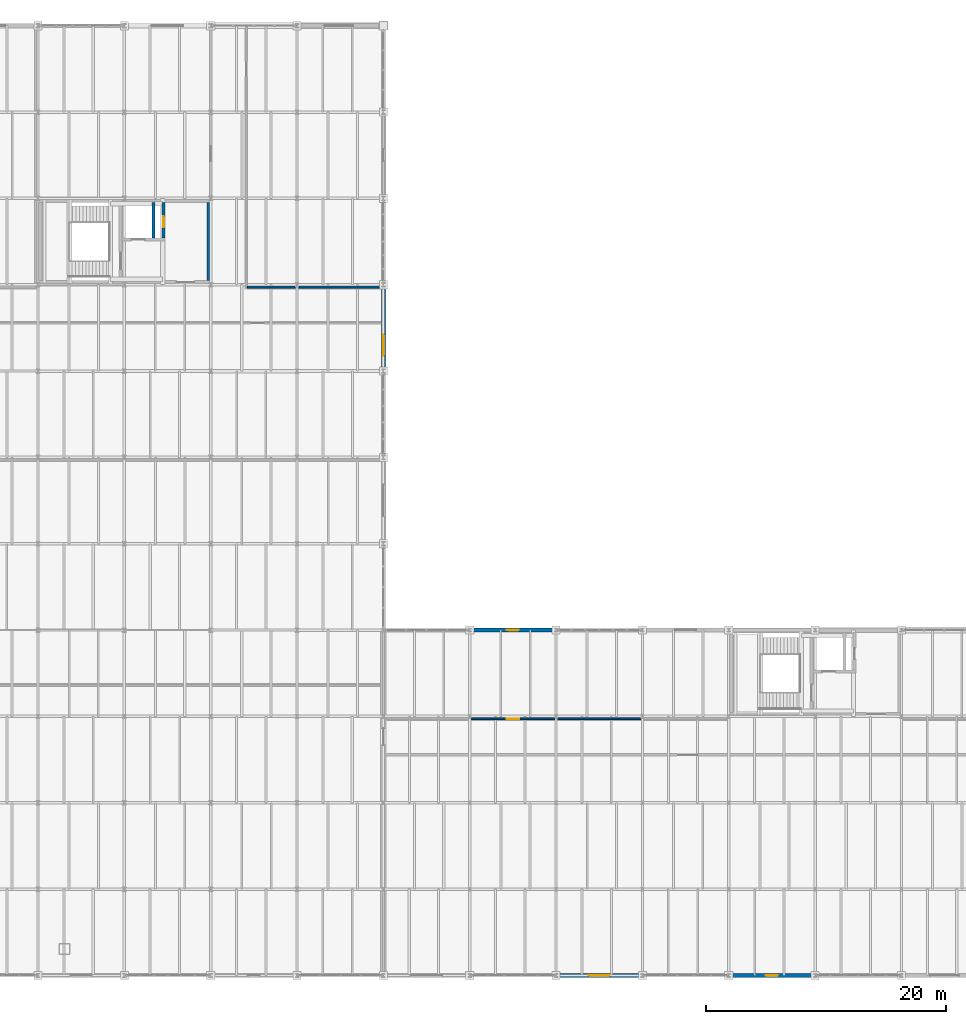
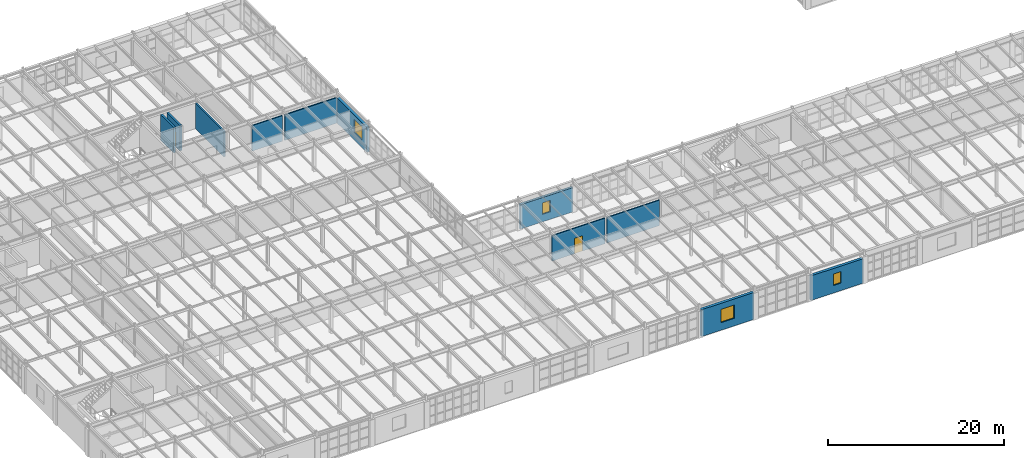
# One storey, part 124 of 137: 11 walls, 4 windows, 2 doors, 6 openings.
"""IFC4 building model written with IfcOpenShell, lengths in metres."""

from ifc_helpers import new_model, si_unit, direction, frame, frame_2d, origin, place, context, subcontext, project, spatial, rectangle, extrude, material, layer, layer_set, type_object, element, fill, save


model = new_model("IFC4")

# Units and contexts
model_context = context("Model", 3, precision=1e-05, world=origin(), true_north=direction((0.0, 1.0)))
body_context = subcontext(model_context, "Body", "Model", "MODEL_VIEW")
ifc_project = project(units=[si_unit("LENGTHUNIT", "METRE"), si_unit("AREAUNIT", "SQUARE_METRE"), si_unit("VOLUMEUNIT", "CUBIC_METRE"), si_unit("PLANEANGLEUNIT", "RADIAN"), si_unit("MASSUNIT", "GRAM", prefix="KILO")], contexts=[model_context])

# Site, building, storey
site_placement = place(None, origin())
site = spatial("IfcSite", under=ifc_project, at=site_placement, CompositionType="ELEMENT")
building_placement = place(site_placement, origin())
building = spatial("IfcBuilding", under=site, at=building_placement, Name="Kemerveld Promenade Tramway Depot", CompositionType="ELEMENT")
storey_placement = place(building_placement, frame((0.0, 0.0, 5.39990234375)))
storey = spatial("IfcBuildingStorey", under=building, at=storey_placement, Name="L01", CompositionType="ELEMENT", Elevation=5.39990234375)

# Wall
ifc_material_1 = material(Name="Concrete C40/50", Category="concrete")
ifc_layer_1 = layer(ifc_material_1, 0.25)
ifc_layer_set_1 = layer_set([ifc_layer_1], Name="WL-CORE-250")
wall_type_1 = type_object("IfcWallType", Name="WL-CORE-250", PredefinedType="SHEAR", material=ifc_layer_set_1)
wall_1_placement = place(storey_placement, frame((38.449951171875, 61.485107421875, 0.0), z_axis=(0.0, 0.0, 1.0), x_axis=(0.0, 1.0, 0.0)))
element("IfcWall", 1, at=wall_1_placement, inside=storey, type_object=wall_type_1, Name="WL-C3-L01-LSHM", PredefinedType="SHEAR", context=body_context, shape_type="SweptSolid", body=[
    extrude(rectangle(XDim=2.96484375, YDim=0.25, at=frame_2d((1.482421875, 0.0))), origin(), (0.0, 0.0, 1.0), 3.550048828125),
])

# Wall, opening, door
wall_2_placement = place(storey_placement, frame((39.280029296875, 61.485107421875, 0.0), z_axis=(0.0, 0.0, 1.0), x_axis=(0.0, 1.0, 0.0)))
wall_2 = element("IfcWall", 2, at=wall_2_placement, inside=storey, type_object=wall_type_1, Name="WL-C3-L01-LSHE", PredefinedType="SHEAR", context=body_context, shape_type="SweptSolid", body=[
    extrude(rectangle(XDim=2.96484375, YDim=0.25, at=frame_2d((1.482421875, 0.0))), origin(), (0.0, 0.0, 1.0), 3.550048828125),
])
opening_1_placement = place(wall_2_placement, frame((0.89990234375, 0.0, 0.0)))
opening_1 = element("IfcOpeningElement", 3, at=opening_1_placement, cuts=wall_2, Name="Opening D-547", PredefinedType="OPENING", context=body_context, shape_type="SweptSolid", body=[
    extrude(rectangle(XDim=0.919921875, YDim=2.050048828125, at=frame_2d((0.4599609375, 1.02490234375))), frame((0.0, 0.135009765625, 0.0), z_axis=(0.0, -1.0, 0.0), x_axis=(1.0, 0.0, 0.0)), (0.0, 0.0, 1.0), 0.27001953125),
])
ifc_material_2 = material(Name="Steel riser shaft access fire door", Category="steel")
door_type_1 = type_object("IfcDoorType", Name="DR-RSR01", OperationType="NOTDEFINED", PredefinedType="DOOR", material=ifc_material_2)
door_1_placement = place(opening_1_placement, origin())
door_1 = element("IfcDoor", 4, at=door_1_placement, inside=storey, type_object=door_type_1, Name="DR-C3-L01-RISER", OperationType="SINGLE_SWING_RIGHT", OverallHeight=2.050048828125, OverallWidth=0.919921875, PredefinedType="DOOR", context=body_context, shape_type="SweptSolid", body=[
    extrude(rectangle(XDim=0.919921875, YDim=2.050048828125, at=frame_2d((0.4599609375, 1.02490234375))), frame((0.0, 0.02490234375, 0.0), z_axis=(0.0, -1.0, 0.0), x_axis=(1.0, 0.0, 0.0)), (0.0, 0.0, 1.0), 0.050048828125),
])
fill(opening_1, door_1)

# Wall, opening, window
ifc_material_3 = material(Name="Banded granite and red-ochre clay brick masonry", Category="masonry")
ifc_layer_2 = layer(ifc_material_3, 0.35009765625)
ifc_layer_set_2 = layer_set([ifc_layer_2], Name="WL-EXT-350")
wall_type_2 = type_object("IfcWallType", Name="WL-EXT-350", PredefinedType="SOLIDWALL", material=ifc_layer_set_2)
wall_3_placement = place(storey_placement, frame((57.60009765625, 57.41650390625, 0.0), z_axis=(0.0, 0.0, 1.0), x_axis=(0.0, -1.0, 0.0)))
wall_3 = element("IfcWall", 5, at=wall_3_placement, inside=storey, type_object=wall_type_2, Name="WL-L01-V5E-04", PredefinedType="SOLIDWALL", context=body_context, shape_type="SweptSolid", body=[
    extrude(rectangle(XDim=6.8330078125, YDim=0.35009765625, at=frame_2d((3.41650390625, 0.0))), origin(), (0.0, 0.0, 1.0), 3.477783203125),
])
opening_2_placement = place(wall_3_placement, frame((3.97509765625, 0.0, 1.050048828125)))
opening_2 = element("IfcOpeningElement", 6, at=opening_2_placement, cuts=wall_3, Name="Opening W-151", PredefinedType="OPENING", context=body_context, shape_type="SweptSolid", body=[
    extrude(rectangle(XDim=1.75, YDim=1.85009765625, at=frame_2d((0.875, 0.925048828125))), frame((0.0, 0.18505859375, 0.0), z_axis=(0.0, -1.0, 0.0), x_axis=(1.0, 0.0, 0.0)), (0.0, 0.0, 1.0), 0.3701171875),
])
ifc_material_4 = material(Name="Bronze anodised aluminium and low-e glass", Category="aluminium")
window_type_1 = type_object("IfcWindowType", Name="WN-30", PartitioningType="SINGLE_PANEL", PredefinedType="WINDOW", material=ifc_material_4)
window_1_placement = place(opening_2_placement, origin())
window_1 = element("IfcWindow", 7, at=window_1_placement, inside=storey, type_object=window_type_1, Name="WN-L01-V5E-04", OverallHeight=1.85009765625, OverallWidth=1.75, PartitioningType="SINGLE_PANEL", PredefinedType="WINDOW", context=body_context, shape_type="SweptSolid", body=[
    extrude(rectangle(XDim=1.75, YDim=1.85009765625, at=frame_2d((0.875, 0.925048828125))), frame((0.0, 0.030029296875, 0.0), z_axis=(0.0, -1.0, 0.0), x_axis=(1.0, 0.0, 0.0)), (0.0, 0.0, 1.0), 0.06005859375),
])
fill(opening_2, window_1)

wall_4_placement = place(storey_placement, frame((93.44970703125, 0.0, 0.0), z_axis=(0.0, 0.0, 1.0), x_axis=(-1.0, 0.0, 0.0)))
wall_4 = element("IfcWall", 8, at=wall_4_placement, inside=storey, type_object=wall_type_2, Name="WL-L01-V4S-10", PredefinedType="SOLIDWALL", context=body_context, shape_type="SweptSolid", body=[
    extrude(rectangle(XDim=6.8994140625, YDim=0.35009765625, at=frame_2d((3.44970703125, 0.0))), origin(), (0.0, 0.0, 1.0), 3.414306640625),
])
opening_3_placement = place(wall_4_placement, frame((2.949951171875, 0.0, 1.050048828125)))
opening_3 = element("IfcOpeningElement", 9, at=opening_3_placement, cuts=wall_4, Name="Opening W-161", PredefinedType="OPENING", context=body_context, shape_type="SweptSolid", body=[
    extrude(rectangle(XDim=1.0, YDim=1.60009765625, at=frame_2d((0.5, 0.800048828125))), frame((0.0, 0.18505859375, 0.0), z_axis=(0.0, -1.0, 0.0), x_axis=(1.0, 0.0, 0.0)), (0.0, 0.0, 1.0), 0.3701171875),
])
window_type_2 = type_object("IfcWindowType", Name="WN-20", PartitioningType="SINGLE_PANEL", PredefinedType="WINDOW", material=ifc_material_4)
window_2_placement = place(opening_3_placement, origin())
window_2 = element("IfcWindow", 10, at=window_2_placement, inside=storey, type_object=window_type_2, Name="WN-L01-V4S-10", OverallHeight=1.60009765625, OverallWidth=1.0, PartitioningType="SINGLE_PANEL", PredefinedType="WINDOW", context=body_context, shape_type="SweptSolid", body=[
    extrude(rectangle(XDim=1.0, YDim=1.60009765625, at=frame_2d((0.5, 0.800048828125))), frame((0.0, 0.030029296875, 0.0), z_axis=(0.0, -1.0, 0.0), x_axis=(1.0, 0.0, 0.0)), (0.0, 0.0, 1.0), 0.06005859375),
])
fill(opening_3, window_2)

wall_5_placement = place(storey_placement, frame((79.0498046875, 0.0, 0.0), z_axis=(0.0, 0.0, 1.0), x_axis=(-1.0, 0.0, 0.0)))
wall_5 = element("IfcWall", 11, at=wall_5_placement, inside=storey, type_object=wall_type_2, Name="WL-L01-V4S-12", PredefinedType="SOLIDWALL", context=body_context, shape_type="SweptSolid", body=[
    extrude(rectangle(XDim=6.899658203125, YDim=0.35009765625, at=frame_2d((3.44970703125, 0.0))), origin(), (0.0, 0.0, 1.0), 3.75),
])
opening_4_placement = place(wall_5_placement, frame((2.574951171875, 0.0, 1.050048828125)))
opening_4 = element("IfcOpeningElement", 12, at=opening_4_placement, cuts=wall_5, Name="Opening W-162", PredefinedType="OPENING", context=body_context, shape_type="SweptSolid", body=[
    extrude(rectangle(XDim=1.75, YDim=1.85009765625, at=frame_2d((0.875, 0.925048828125))), frame((0.0, 0.18505859375, 0.0), z_axis=(0.0, -1.0, 0.0), x_axis=(1.0, 0.0, 0.0)), (0.0, 0.0, 1.0), 0.3701171875),
])
window_3_placement = place(opening_4_placement, origin())
window_3 = element("IfcWindow", 13, at=window_3_placement, inside=storey, type_object=window_type_1, Name="WN-L01-V4S-12", OverallHeight=1.85009765625, OverallWidth=1.75, PartitioningType="SINGLE_PANEL", PredefinedType="WINDOW", context=body_context, shape_type="SweptSolid", body=[
    extrude(rectangle(XDim=1.75, YDim=1.85009765625, at=frame_2d((0.875, 0.925048828125))), frame((0.0, 0.030029296875, 0.0), z_axis=(0.0, -1.0, 0.0), x_axis=(1.0, 0.0, 0.0)), (0.0, 0.0, 1.0), 0.06005859375),
])
fill(opening_4, window_3)

wall_6_placement = place(storey_placement, frame((64.9501953125, 28.800048828125, 0.0), z_axis=(0.0, 0.0, 1.0), x_axis=(1.0, 0.0, 0.0)))
wall_6 = element("IfcWall", 14, at=wall_6_placement, inside=storey, type_object=wall_type_2, Name="WL-L01-V4N-02", PredefinedType="SOLIDWALL", context=body_context, shape_type="SweptSolid", body=[
    extrude(rectangle(XDim=6.899658203125, YDim=0.35009765625, at=frame_2d((3.44970703125, 0.0))), origin(), (0.0, 0.0, 1.0), 3.37939453125),
])
opening_5_placement = place(wall_6_placement, frame((2.949951171875, 0.0, 1.050048828125)))
opening_5 = element("IfcOpeningElement", 15, at=opening_5_placement, cuts=wall_6, Name="Opening W-164", PredefinedType="OPENING", context=body_context, shape_type="SweptSolid", body=[
    extrude(rectangle(XDim=1.0, YDim=1.60009765625, at=frame_2d((0.5, 0.800048828125))), frame((0.0, 0.18505859375, 0.0), z_axis=(0.0, -1.0, 0.0), x_axis=(1.0, 0.0, 0.0)), (0.0, 0.0, 1.0), 0.3701171875),
])
window_4_placement = place(opening_5_placement, origin())
window_4 = element("IfcWindow", 16, at=window_4_placement, inside=storey, type_object=window_type_2, Name="WN-L01-V4N-02", OverallHeight=1.60009765625, OverallWidth=1.0, PartitioningType="SINGLE_PANEL", PredefinedType="WINDOW", context=body_context, shape_type="SweptSolid", body=[
    extrude(rectangle(XDim=1.0, YDim=1.60009765625, at=frame_2d((0.5, 0.800048828125))), frame((0.0, 0.030029296875, 0.0), z_axis=(0.0, -1.0, 0.0), x_axis=(1.0, 0.0, 0.0)), (0.0, 0.0, 1.0), 0.06005859375),
])
fill(opening_5, window_4)

# Wall
ifc_material_5 = material(Name="Concrete blockwork C35/45", Category="masonry")
ifc_layer_3 = layer(ifc_material_5, 0.199951171875)
ifc_layer_set_3 = layer_set([ifc_layer_3], Name="WL-LOB-200")
wall_type_3 = type_object("IfcWallType", Name="WL-LOB-200", PredefinedType="SOLIDWALL", material=ifc_layer_set_3)
wall_7_placement = place(storey_placement, frame((43.0, 57.949951171875, 0.0), z_axis=(0.0, 0.0, 1.0), x_axis=(0.0, 1.0, 0.0)))
element("IfcWall", 17, at=wall_7_placement, inside=storey, type_object=wall_type_3, Name="WL-C3-L01-E", PredefinedType="SOLIDWALL", context=body_context, shape_type="SweptSolid", body=[
    extrude(rectangle(XDim=6.5, YDim=0.199951171875, at=frame_2d((3.25, 0.0))), origin(), (0.0, 0.0, 1.0), 3.550048828125),
])

# Wall, opening, door
ifc_material_6 = material(Name="Fire-rated gypsum stud partition")
ifc_layer_4 = layer(ifc_material_6, 0.14501953125)
ifc_layer_set_4 = layer_set([ifc_layer_4], Name="WL-PRT-145")
wall_type_4 = type_object("IfcWallType", Name="WL-PRT-145", PredefinedType="PARTITIONING", material=ifc_layer_set_4)
wall_8_placement = place(storey_placement, frame((64.929931640625, 21.39990234375, 0.0), z_axis=(0.0, 0.0, 1.0), x_axis=(1.0, 0.0, 0.0)))
wall_8 = element("IfcWall", 18, at=wall_8_placement, inside=storey, type_object=wall_type_4, Name="WL-PRT-RM-L01-V4-EDU", PredefinedType="PARTITIONING", context=body_context, shape_type="SweptSolid", body=[
    extrude(rectangle(XDim=6.940185546875, YDim=0.14501953125, at=frame_2d((3.47021484375, 0.0))), origin(), (0.0, 0.0, 1.0), 3.550048828125),
])
opening_6_placement = place(wall_8_placement, frame((2.945068359375, 0.0, 0.0)))
opening_6 = element("IfcOpeningElement", 19, at=opening_6_placement, cuts=wall_8, Name="Opening D-638", PredefinedType="OPENING", context=body_context, shape_type="SweptSolid", body=[
    extrude(rectangle(XDim=1.050048828125, YDim=2.14990234375, at=frame_2d((0.52490234375, 1.074951171875))), frame((0.0, 0.08251953125, 0.0), z_axis=(0.0, -1.0, 0.0), x_axis=(1.0, 0.0, 0.0)), (0.0, 0.0, 1.0), 0.1650390625),
])
ifc_material_7 = material(Name="Glazed training classroom door")
door_type_2 = type_object("IfcDoorType", Name="DR-INT03", OperationType="NOTDEFINED", PredefinedType="DOOR", material=ifc_material_7)
door_2_placement = place(opening_6_placement, origin())
door_2 = element("IfcDoor", 20, at=door_2_placement, inside=storey, type_object=door_type_2, Name="DR-RM-RM-L01-V4-EDU", OperationType="SINGLE_SWING_RIGHT", OverallHeight=2.14990234375, OverallWidth=1.050048828125, PredefinedType="DOOR", context=body_context, shape_type="SweptSolid", body=[
    extrude(rectangle(XDim=1.050048828125, YDim=2.14990234375, at=frame_2d((0.52490234375, 1.074951171875))), frame((0.0, 0.02490234375, 0.0), z_axis=(0.0, -1.0, 0.0), x_axis=(1.0, 0.0, 0.0)), (0.0, 0.0, 1.0), 0.050048828125),
])
fill(opening_6, door_2)

# Walls
wall_9_placement = place(storey_placement, frame((72.1298828125, 21.39990234375, 0.0), z_axis=(0.0, 0.0, 1.0), x_axis=(1.0, 0.0, 0.0)))
element("IfcWall", 21, at=wall_9_placement, inside=storey, type_object=wall_type_4, Name="WL-PRT-RM-L01-V4-EDU-S3", PredefinedType="PARTITIONING", context=body_context, shape_type="SweptSolid", body=[
    extrude(rectangle(XDim=6.940185546875, YDim=0.14501953125, at=frame_2d((3.47021484375, 0.0))), origin(), (0.0, 0.0, 1.0), 3.550048828125),
])
ifc_material_8 = material(Name="Acoustic twin-stud gypsum partition")
ifc_layer_5 = layer(ifc_material_8, 0.159912109375)
ifc_layer_set_5 = layer_set([ifc_layer_5], Name="WL-PRT-160")
wall_type_5 = type_object("IfcWallType", Name="WL-PRT-160", PredefinedType="PARTITIONING", material=ifc_layer_set_5)
wall_10_placement = place(storey_placement, frame((46.264892578125, 57.39990234375, 0.0), z_axis=(0.0, 0.0, 1.0), x_axis=(1.0, 0.0, 0.0)))
element("IfcWall", 22, at=wall_10_placement, inside=storey, type_object=wall_type_5, Name="WL-DIV-L01-042", PredefinedType="PARTITIONING", context=body_context, shape_type="SweptSolid", body=[
    extrude(rectangle(XDim=3.97705078125, YDim=0.159912109375, at=frame_2d((1.988525390625, 0.0))), origin(), (0.0, 0.0, 1.0), 3.550048828125),
])
wall_11_placement = place(storey_placement, frame((50.55810546875, 57.39990234375, 0.0), z_axis=(0.0, 0.0, 1.0), x_axis=(1.0, 0.0, 0.0)))
element("IfcWall", 23, at=wall_11_placement, inside=storey, type_object=wall_type_5, Name="WL-DIV-L01-043", PredefinedType="PARTITIONING", context=body_context, shape_type="SweptSolid", body=[
    extrude(rectangle(XDim=6.866943359375, YDim=0.159912109375, at=frame_2d((3.43359375, 0.0))), origin(), (0.0, 0.0, 1.0), 3.550048828125),
])

save(model, "model.ifc")
